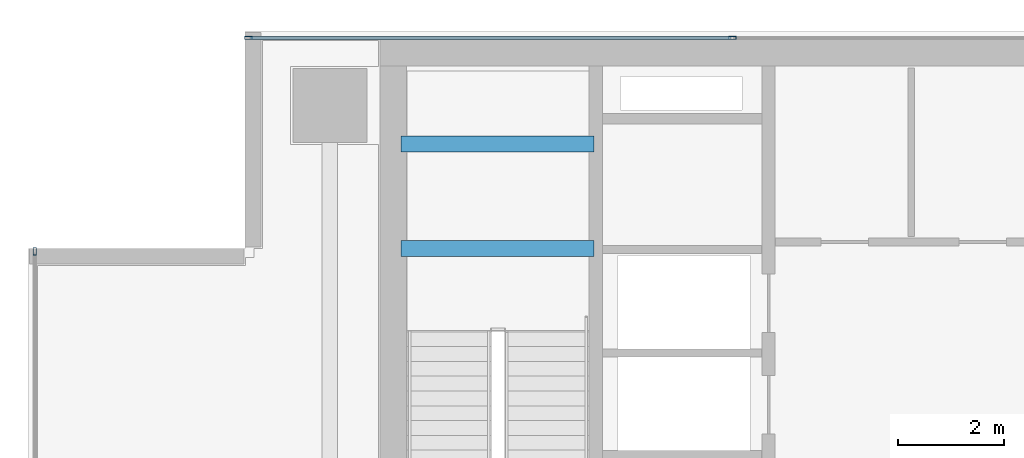
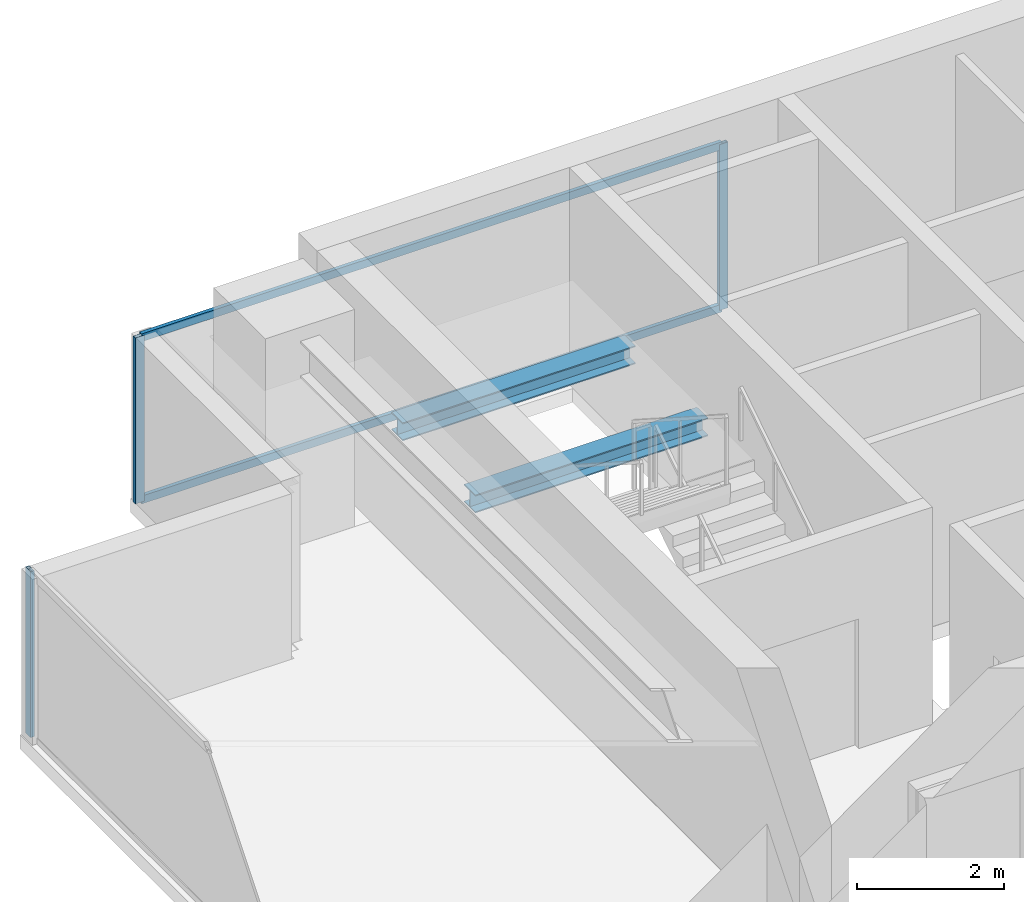
# One storey, part 15 of 26: 5 members, 2 beams, 2 elements without a shape of their own.
"""IFC4 building model written with IfcOpenShell, lengths in metres."""

from ifc_helpers import new_model, si_unit, direction, frame, origin, origin_2d, place, context, subcontext, project, spatial, hollow_rectangle, i_section, extrude, source, transform, mapped, material, layer, layer_set, material_profile, profile_set, type_object, element, aggregate, save


model = new_model("IFC4")

# Units and contexts
model_context = context("Model", 3, precision=1e-05, world=origin(), true_north=direction((0.0, 1.0)))
body_context = subcontext(model_context, "Body", "Model", "MODEL_VIEW")
ifc_project = project(units=[si_unit("LENGTHUNIT", "METRE"), si_unit("AREAUNIT", "SQUARE_METRE"), si_unit("VOLUMEUNIT", "CUBIC_METRE"), si_unit("PLANEANGLEUNIT", "RADIAN"), si_unit("MASSUNIT", "GRAM", prefix="KILO")], contexts=[model_context])

# Site, building, storey
site_placement = place(None, origin())
site = spatial("IfcSite", under=ifc_project, at=site_placement, CompositionType="ELEMENT")
building_placement = place(site_placement, origin())
building = spatial("IfcBuilding", under=site, at=building_placement, Name="Sumidabori Civic Tower", CompositionType="ELEMENT")
storey_placement = place(building_placement, frame((0.0, 0.0, 261.199951171875)))
storey = spatial("IfcBuildingStorey", under=building, at=storey_placement, Name="L68", CompositionType="ELEMENT", Elevation=261.199951171875)

# Beams
ifc_material_1 = material(Name="Steel SN490", Category="steel")
ifc_material_profile_1 = material_profile(ifc_material_1, i_section(OverallWidth=0.300048828125, OverallDepth=0.300048828125, WebThickness=0.010986328125, FlangeThickness=0.01904296875, at=origin_2d()), Name="HE 300 B")
ifc_profile_set_1 = profile_set([ifc_material_profile_1], Name="Steel SN490")
beam_type = type_object("IfcBeamType", Name="BM-LDG-300", PredefinedType="BEAM", material=ifc_profile_set_1)
shared_shape_1 = source(origin(), body_context, "Body", "SweptSolid", [
    extrude(i_section(OverallWidth=0.300048828125, OverallDepth=0.300048828125, WebThickness=0.010986328125, FlangeThickness=0.01904296875, at=origin_2d()), origin(), (0.0, 0.0, 1.0), 3.64990234375),
])
for number, where, z_axis, x_axis, name in (
    (1, (-15.449951171875, 20.09765625, 1.449951171875), (1.0, 0.0, 0.0), (0.0, 1.0, 0.0), "Stair ST-1 Landing Support Beam L68-1A"),
    (2, (-15.449951171875, 22.069580078125, 1.449951171875), (1.0, 0.0, 0.0), (0.0, 1.0, 0.0), "Stair ST-1 Landing Trimmer Beam L68-1B"),
):
    element("IfcBeam", number, at=place(storey_placement, frame(where, z_axis=z_axis, x_axis=x_axis)), inside=storey, type_object=beam_type, Name=name, PredefinedType="BEAM", context=body_context, shape_type="MappedRepresentation", body=[
        mapped(shared_shape_1, transform((0.0, 0.0, 0.0), x_axis=(1.0, 0.0, 0.0), y_axis=(0.0, 1.0, 0.0), z_axis=(0.0, 0.0, 1.0), scale=1.0)),
    ])

# Curtain wall, members
ifc_material_2 = material(Name="Anodised Bronze Aluminium AW-6063-T6", Category="aluminium")
ifc_layer = layer(ifc_material_2, 0.179931640625, Name="Anodised Bronze Aluminium AW-6063-T6")
ifc_layer_set = layer_set([ifc_layer], Name="Anodised Bronze Aluminium AW-6063-T6")
curtain_wall_type = type_object("IfcCurtainWallType", Name="CW-SYS-5", PredefinedType="NOTDEFINED", material=ifc_layer_set)
curtain_wall_1_placement = place(storey_placement, origin())
curtain_wall_1 = element("IfcCurtainWall", 3, at=curtain_wall_1_placement, inside=storey, type_object=curtain_wall_type, Name="Curtain Wall CW:L68:R07", PredefinedType="NOTDEFINED")
ifc_material_profile_2 = material_profile(ifc_material_2, hollow_rectangle(XDim=0.06005859375, YDim=0.1298828125, WallThickness=0.0048828125, at=origin_2d()), Name="ALU TRANSOM 130x60")
ifc_profile_set_2 = profile_set([ifc_material_profile_2], Name="Anodised Bronze Aluminium AW-6063-T6")
member_type_1 = type_object("IfcMemberType", Name="CW-TRN-130", PredefinedType="USERDEFINED", material=ifc_profile_set_2)
shared_shape_2 = source(origin(), body_context, "Body", "SweptSolid", [
    extrude(hollow_rectangle(XDim=0.06005859375, YDim=0.1298828125, WallThickness=0.0048828125, at=origin_2d()), origin(), (0.0, 0.0, 1.0), 9.094970703125),
])
member_1_placement = place(storey_placement, frame((-9.215087890625, 24.080078125, 0.030029296875), z_axis=(-1.0, 0.0, 0.0), x_axis=(0.0, -1.0, 0.0)))
member_1 = element("IfcMember", 4, at=member_1_placement, type_object=member_type_1, Name="CW-5 transom 4.1", ObjectType="TRANSOM", PredefinedType="USERDEFINED", context=body_context, shape_type="MappedRepresentation", body=[
    mapped(shared_shape_2, transform((0.0, 0.0, 0.0), x_axis=(1.0, 0.0, 0.0), y_axis=(0.0, 1.0, 0.0), z_axis=(0.0, 0.0, 1.0), scale=1.0)),
])
member_2_placement = place(storey_placement, frame((-9.215087890625, 24.080078125, 2.719970703125), z_axis=(-1.0, 0.0, 0.0), x_axis=(0.0, -1.0, 0.0)))
member_2 = element("IfcMember", 5, at=member_2_placement, type_object=member_type_1, Name="CW-5 transom 4.2", ObjectType="TRANSOM", PredefinedType="USERDEFINED", context=body_context, shape_type="MappedRepresentation", body=[
    mapped(shared_shape_2, transform((0.0, 0.0, 0.0), x_axis=(1.0, 0.0, 0.0), y_axis=(0.0, 1.0, 0.0), z_axis=(0.0, 0.0, 1.0), scale=1.0)),
])
ifc_material_profile_3 = material_profile(ifc_material_2, hollow_rectangle(XDim=0.06005859375, YDim=0.139892578125, WallThickness=0.0048828125, at=origin_2d()), Name="ALU MULLION 140x60")
ifc_profile_set_3 = profile_set([ifc_material_profile_3], Name="Anodised Bronze Aluminium AW-6063-T6")
member_type_2 = type_object("IfcMemberType", Name="CW-MUL-140", PredefinedType="MULLION", material=ifc_profile_set_3)
shared_shape_3 = source(origin(), body_context, "Body", "SweptSolid", [
    extrude(hollow_rectangle(XDim=0.06005859375, YDim=0.139892578125, WallThickness=0.0048828125, at=origin_2d()), origin(), (0.0, 0.0, 1.0), 2.75),
])
member_3_placement = place(storey_placement, frame((-9.18505859375, 24.080078125, 0.0), z_axis=(0.0, 0.0, 1.0), x_axis=(0.0, -1.0, 0.0)))
member_3 = element("IfcMember", 6, at=member_3_placement, type_object=member_type_2, Name="CW-5 mullion 4", PredefinedType="MULLION", context=body_context, shape_type="MappedRepresentation", body=[
    mapped(shared_shape_3, transform((0.0, 0.0, 0.0), x_axis=(1.0, 0.0, 0.0), y_axis=(0.0, 1.0, 0.0), z_axis=(0.0, 0.0, 1.0), scale=1.0)),
])
member_4_placement = place(storey_placement, frame((-18.340087890625, 24.080078125, 0.0), z_axis=(0.0, 0.0, 1.0), x_axis=(0.0, -1.0, 0.0)))
member_4 = element("IfcMember", 7, at=member_4_placement, type_object=member_type_2, Name="CW-5 mullion 5", PredefinedType="MULLION", context=body_context, shape_type="MappedRepresentation", body=[
    mapped(shared_shape_3, transform((0.0, 0.0, 0.0), x_axis=(1.0, 0.0, 0.0), y_axis=(0.0, 1.0, 0.0), z_axis=(0.0, 0.0, 1.0), scale=1.0)),
])
aggregate(curtain_wall_1, [member_3, member_4, member_1, member_2])

# Curtain wall, member
curtain_wall_2_placement = place(storey_placement, origin())
curtain_wall_2 = element("IfcCurtainWall", 8, at=curtain_wall_2_placement, inside=storey, type_object=curtain_wall_type, Name="Curtain Wall CW:L68:R10", PredefinedType="NOTDEFINED")
member_5_placement = place(storey_placement, frame((-22.3798828125, 20.0400390625, 0.0), z_axis=(0.0, 0.0, 1.0), x_axis=(1.0, 0.0, 0.0)))
member_5 = element("IfcMember", 9, at=member_5_placement, type_object=member_type_2, Name="CW-5 mullion 1", PredefinedType="MULLION", context=body_context, shape_type="MappedRepresentation", body=[
    mapped(shared_shape_3, transform((0.0, 0.0, 0.0), x_axis=(1.0, 0.0, 0.0), y_axis=(0.0, 1.0, 0.0), z_axis=(0.0, 0.0, 1.0), scale=1.0)),
])
aggregate(curtain_wall_2, [member_5])

save(model, "model.ifc")
